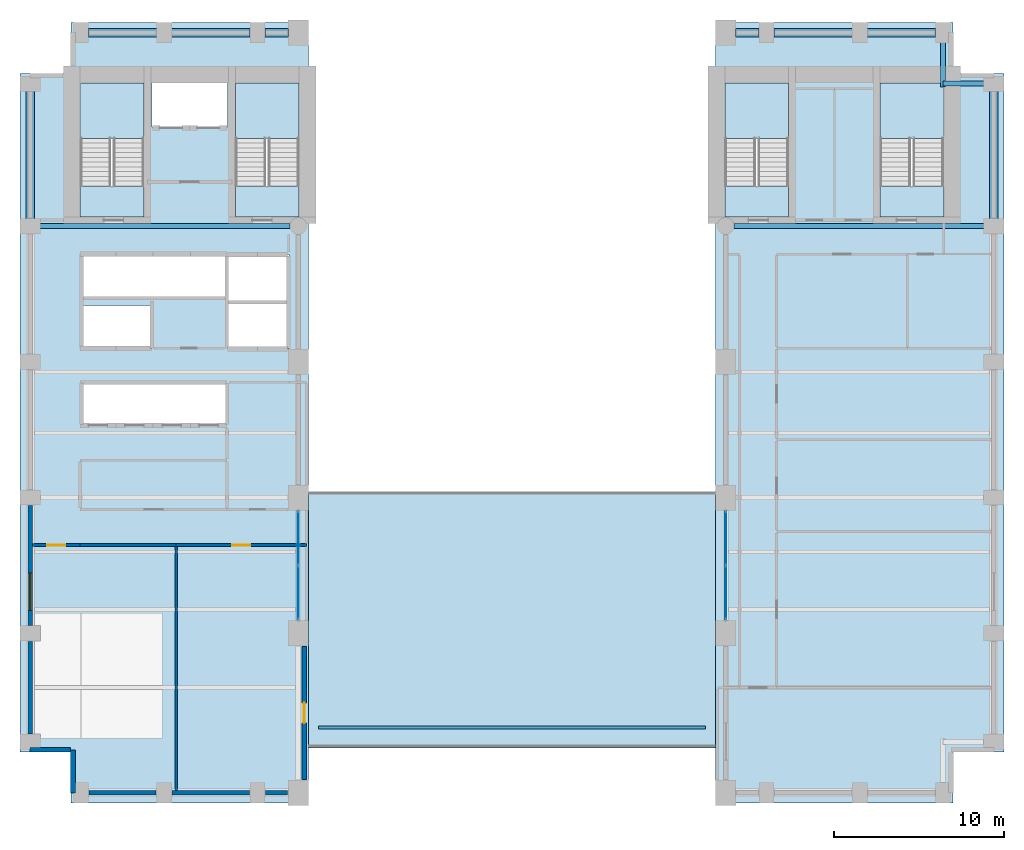
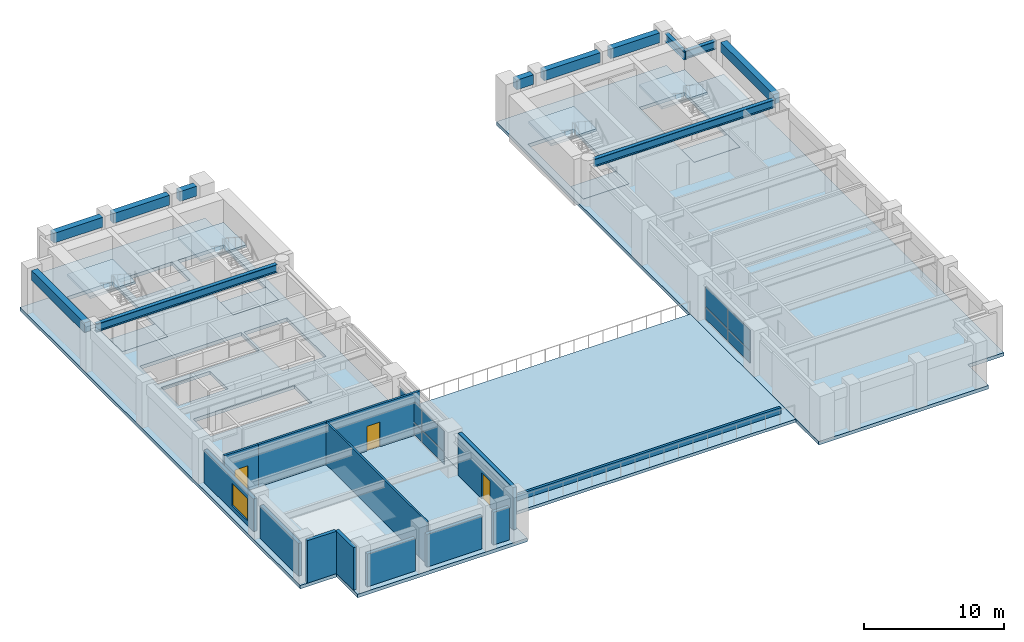
# One storey, part 4 of 10: 13 walls, 12 beams, 11 slabs, 8 plates, 3 doors, 1 window, 4 openings, 6 elements without a shape of their own.
"""IFC4 building model written with IfcOpenShell, lengths in metres."""

from ifc_helpers import new_model, si_unit, direction, frame, frame_2d, origin, origin_2d, place, context, subcontext, project, spatial, polyline, rectangle, i_section, outline, extrude, material, layer, layer_set, material_profile, profile_set, type_object, element, fill, aggregate, save


model = new_model("IFC4")

# Units and contexts
model_context = context("Model", 3, precision=1e-05, world=origin(), true_north=direction((0.0, 1.0)))
body_context = subcontext(model_context, "Body", "Model", "MODEL_VIEW")
ifc_project = project(units=[si_unit("LENGTHUNIT", "METRE"), si_unit("AREAUNIT", "SQUARE_METRE"), si_unit("VOLUMEUNIT", "CUBIC_METRE"), si_unit("PLANEANGLEUNIT", "RADIAN"), si_unit("MASSUNIT", "GRAM", prefix="KILO")], contexts=[model_context])

# Site, building, storey
site_placement = place(None, origin())
site = spatial("IfcSite", under=ifc_project, at=site_placement, CompositionType="ELEMENT")
building_placement = place(site_placement, origin())
building = spatial("IfcBuilding", under=site, at=building_placement, Name="Sulina Concourse Tower", CompositionType="ELEMENT")
storey_placement = place(building_placement, frame((0.0, 0.0, 22.60009765625)))
storey = spatial("IfcBuildingStorey", under=building, at=storey_placement, Name="L05", CompositionType="ELEMENT", Elevation=22.60009765625)

# Beams
ifc_material_1 = material(Name="Steel S355", Category="steel")
ifc_material_profile_1 = material_profile(ifc_material_1, i_section(OverallWidth=0.300048828125, OverallDepth=0.699951171875, WebThickness=0.01708984375, FlangeThickness=0.031982421875, at=origin_2d()), Name="HE 700 B")
ifc_profile_set_1 = profile_set([ifc_material_profile_1], Name="Steel S355")
beam_type_1 = type_object("IfcBeamType", Name="Floor Primary Girder Zone 1 HE700B", PredefinedType="BEAM", material=ifc_profile_set_1)
beam_1_placement = place(storey_placement, frame((54.39990234375, 42.39990234375, 3.349853515625), z_axis=(1.0, 0.0, 0.0), x_axis=(0.0, 1.0, 0.0)))
element("IfcBeam", 1, at=beam_1_placement, inside=storey, type_object=beam_type_1, Name="TIE-NE-L05", PredefinedType="BEAM", context=body_context, shape_type="SweptSolid", body=[
    extrude(i_section(OverallWidth=0.300048828125, OverallDepth=0.699951171875, WebThickness=0.01708984375, FlangeThickness=0.031982421875, at=origin_2d()), origin(), (0.0, 0.0, 1.0), 2.570068359375),
])
beam_2_placement = place(storey_placement, frame((54.39990234375, 42.199951171875, 3.349853515625), z_axis=(0.0, 1.0, 0.0), x_axis=(-1.0, 0.0, 0.0)))
element("IfcBeam", 2, at=beam_2_placement, inside=storey, type_object=beam_type_1, Name="TIE-NEN-L05", PredefinedType="BEAM", context=body_context, shape_type="SweptSolid", body=[
    extrude(i_section(OverallWidth=0.300048828125, OverallDepth=0.699951171875, WebThickness=0.01708984375, FlangeThickness=0.031982421875, at=origin_2d()), origin(), (0.0, 0.0, 1.0), 2.77001953125),
])
for number, where, z_axis, x_axis, name in (
    (3, (1.030029296875, 34.0, 3.349853515625), (1.0, 0.0, 0.0), (0.0, 1.0, 0.0), "FG-EWN1-L05"),
    (4, (42.080078125, 34.0, 3.349853515625), (1.0, 0.0, 0.0), (0.0, 1.0, 0.0), "FG-EWN3-L05"),
):
    element("IfcBeam", number, at=place(storey_placement, frame(where, z_axis=z_axis, x_axis=x_axis)), inside=storey, type_object=beam_type_1, Name=name, PredefinedType="BEAM", context=body_context, shape_type="SweptSolid", body=[
        extrude(i_section(OverallWidth=0.300048828125, OverallDepth=0.699951171875, WebThickness=0.01708984375, FlangeThickness=0.031982421875, at=origin_2d()), origin(), (0.0, 0.0, 1.0), 14.889892578125),
    ])
ifc_material_2 = material(Name="Precast concrete C50/60", Category="concrete")
ifc_material_profile_2 = material_profile(ifc_material_2, rectangle(XDim=0.5, YDim=0.85009765625, at=origin_2d()), Name="RC 500x850")
ifc_profile_set_2 = profile_set([ifc_material_profile_2], Name="Precast concrete C50/60")
beam_type_2 = type_object("IfcBeamType", Name="Lower Precast Spandrel Edge Beam 500x850", PredefinedType="BEAM", material=ifc_profile_set_2)
beam_3_placement = place(storey_placement, frame((4.030029296875, 45.39990234375, 3.27490234375), z_axis=(1.0, 0.0, 0.0), x_axis=(0.0, 1.0, 0.0)))
element("IfcBeam", 5, at=beam_3_placement, inside=storey, type_object=beam_type_2, Name="SP-N1-L05", PredefinedType="BEAM", context=body_context, shape_type="SweptSolid", body=[
    extrude(rectangle(XDim=0.5, YDim=0.85009765625, at=origin_2d()), origin(), (0.0, 0.0, 1.0), 4.0400390625),
])
beam_4_placement = place(storey_placement, frame((8.929931640625, 45.39990234375, 3.27490234375), z_axis=(1.0, 0.0, 0.0), x_axis=(0.0, 1.0, 0.0)))
element("IfcBeam", 6, at=beam_4_placement, inside=storey, type_object=beam_type_2, Name="SP-N2-L05", PredefinedType="BEAM", context=body_context, shape_type="SweptSolid", body=[
    extrude(rectangle(XDim=0.5, YDim=0.85009765625, at=origin_2d()), origin(), (0.0, 0.0, 1.0), 4.64013671875),
])
for number, where, z_axis, x_axis, name in (
    (7, (14.429931640625, 45.39990234375, 3.27490234375), (1.0, 0.0, 0.0), (0.0, 1.0, 0.0), "SP-N3-L05"),
    (8, (42.179931640625, 45.39990234375, 3.27490234375), (1.0, 0.0, 0.0), (0.0, 1.0, 0.0), "SP-N5-L05"),
):
    element("IfcBeam", number, at=place(storey_placement, frame(where, z_axis=z_axis, x_axis=x_axis)), inside=storey, type_object=beam_type_2, Name=name, PredefinedType="BEAM", context=body_context, shape_type="SweptSolid", body=[
        extrude(rectangle(XDim=0.5, YDim=0.85009765625, at=origin_2d()), origin(), (0.0, 0.0, 1.0), 1.39013671875),
    ])
beam_5_placement = place(storey_placement, frame((44.429931640625, 45.39990234375, 3.27490234375), z_axis=(1.0, 0.0, 0.0), x_axis=(0.0, 1.0, 0.0)))
element("IfcBeam", 9, at=beam_5_placement, inside=storey, type_object=beam_type_2, Name="SP-N6-L05", PredefinedType="BEAM", context=body_context, shape_type="SweptSolid", body=[
    extrude(rectangle(XDim=0.5, YDim=0.85009765625, at=origin_2d()), origin(), (0.0, 0.0, 1.0), 4.64013671875),
])
beam_6_placement = place(storey_placement, frame((49.929931640625, 45.39990234375, 3.27490234375), z_axis=(1.0, 0.0, 0.0), x_axis=(0.0, 1.0, 0.0)))
element("IfcBeam", 10, at=beam_6_placement, inside=storey, type_object=beam_type_2, Name="SP-N7-L05", PredefinedType="BEAM", context=body_context, shape_type="SweptSolid", body=[
    extrude(rectangle(XDim=0.5, YDim=0.85009765625, at=origin_2d()), origin(), (0.0, 0.0, 1.0), 4.0400390625),
])
for number, where, z_axis, x_axis, name in (
    (11, (0.60009765625, 34.429931640625, 3.27490234375), (0.0, 1.0, 0.0), (-1.0, 0.0, 0.0), "SP-W5-L05"),
    (12, (57.39990234375, 34.429931640625, 3.27490234375), (0.0, 1.0, 0.0), (-1.0, 0.0, 0.0), "SP-E5-L05"),
):
    element("IfcBeam", number, at=place(storey_placement, frame(where, z_axis=z_axis, x_axis=x_axis)), inside=storey, type_object=beam_type_2, Name=name, PredefinedType="BEAM", context=body_context, shape_type="SweptSolid", body=[
        extrude(rectangle(XDim=0.5, YDim=0.85009765625, at=origin_2d()), origin(), (0.0, 0.0, 1.0), 7.5400390625),
    ])

# Slabs
ifc_material_3 = material(Name="Concrete C50/60", Category="concrete")
ifc_layer_1 = layer(ifc_material_3, 0.300048828125)
ifc_layer_set_1 = layer_set([ifc_layer_1], Name="Concrete C50/60")
slab_type_1 = type_object("IfcSlabType", Name="Low-Rise Composite Floor Slab 300mm", PredefinedType="FLOOR", material=ifc_layer_set_1)
slab_1_placement = place(storey_placement, frame((0.0, 0.0, -0.300048828125)))
element("IfcSlab", 13, at=slab_1_placement, inside=storey, type_object=slab_type_1, Name="L05 structural floor slab-P1", PredefinedType="FLOOR", context=body_context, shape_type="SweptSolid", body=[
    extrude(outline(polyline([(3.0, 0.0), (17.0, 0.0), (17.0, 46.0), (3.0, 46.0), (3.0, 43.0), (0.0, 43.0), (0.0, 3.0), (3.0, 3.0), (3.0, 0.0)]), holes=[polyline([(7.31005859375, 34.550048828125), (7.31005859375, 42.429931640625), (3.550048828125, 42.429931640625), (3.550048828125, 34.550048828125), (7.31005859375, 34.550048828125)]), polyline([(16.449951171875, 34.550048828125), (16.449951171875, 42.429931640625), (12.68994140625, 42.429931640625), (12.68994140625, 34.550048828125), (16.449951171875, 34.550048828125)]), polyline([(7.780029296875, 39.830078125), (12.219970703125, 39.830078125), (12.219970703125, 42.449951171875), (7.780029296875, 42.449951171875), (7.780029296875, 39.830078125)]), polyline([(3.739990234375, 26.780029296875), (7.77001953125, 26.780029296875), (7.77001953125, 29.320068359375), (3.739990234375, 29.320068359375), (3.739990234375, 26.780029296875)]), polyline([(3.739990234375, 29.780029296875), (12.10009765625, 29.780029296875), (12.10009765625, 32.3701171875), (3.739990234375, 32.3701171875), (3.739990234375, 29.780029296875)]), polyline([(3.739990234375, 22.280029296875), (12.10009765625, 22.280029296875), (12.10009765625, 24.77001953125), (3.739990234375, 24.77001953125), (3.739990234375, 22.280029296875)]), polyline([(12.280029296875, 26.780029296875), (15.85009765625, 26.780029296875), (15.85009765625, 32.320068359375), (12.280029296875, 32.320068359375), (12.280029296875, 26.780029296875)])]), origin(), (0.0, 0.0, 1.0), 0.300048828125),
])
slab_2_placement = place(storey_placement, frame((0.0, 0.0, -0.300048828125)))
element("IfcSlab", 14, at=slab_2_placement, inside=storey, type_object=slab_type_1, Name="L05 structural floor slab-P2", PredefinedType="FLOOR", context=body_context, shape_type="SweptSolid", body=[
    extrude(outline(polyline([(41.0, 0.0), (55.0, 0.0), (55.0, 3.0), (58.0, 3.0), (58.0, 43.0), (55.0, 43.0), (55.0, 46.0), (41.0, 46.0), (41.0, 0.0)]), holes=[polyline([(45.31005859375, 34.550048828125), (45.31005859375, 42.429931640625), (41.550048828125, 42.429931640625), (41.550048828125, 34.550048828125), (45.31005859375, 34.550048828125)]), polyline([(54.449951171875, 34.550048828125), (54.449951171875, 42.429931640625), (50.68994140625, 42.429931640625), (50.68994140625, 34.550048828125), (54.449951171875, 34.550048828125)])]), origin(), (0.0, 0.0, 1.0), 0.300048828125),
])
ifc_material_4 = material(Name="Precast concrete C50/60", Category="concrete")
ifc_layer_2 = layer(ifc_material_4, 0.260009765625)
ifc_layer_set_2 = layer_set([ifc_layer_2], Name="Precast concrete C50/60")
slab_type_2 = type_object("IfcSlabType", Name="Lower Portal Planted Terrace Slab 260mm", PredefinedType="FLOOR", material=ifc_layer_set_2)
slab_3_placement = place(storey_placement, frame((0.0, 0.0, -0.260009765625)))
element("IfcSlab", 15, at=slab_3_placement, inside=storey, type_object=slab_type_2, Name="L05 outdoor terrace slab TER-LP1", PredefinedType="FLOOR", context=body_context, shape_type="SweptSolid", body=[
    extrude(outline(polyline([(17.0, 3.25), (41.0, 3.25), (41.0, 18.35009765625), (17.0, 18.35009765625), (17.0, 3.25)])), origin(), (0.0, 0.0, 1.0), 0.260009765625),
])

# Curtain wall, plates
ifc_material_5 = material(Name="Anodised bronze aluminium", Category="aluminium")
ifc_layer_3 = layer(ifc_material_5, 0.219970703125)
ifc_layer_set_3 = layer_set([ifc_layer_3], Name="Anodised bronze aluminium")
curtain_wall_type = type_object("IfcCurtainWallType", Name="Lower Terraced Portal Curtain Wall System", PredefinedType="NOTDEFINED", material=ifc_layer_set_3)
curtain_wall_1_placement = place(storey_placement, origin())
curtain_wall_1 = element("IfcCurtainWall", 16, at=curtain_wall_1_placement, inside=storey, type_object=curtain_wall_type, Name="L05 glazed curtain wall PW2", PredefinedType="NOTDEFINED")
ifc_material_6 = material(Name="Low-E solar portal glazing", Category="glass")
ifc_layer_4 = layer(ifc_material_6, 0.031982421875)
ifc_layer_set_4 = layer_set([ifc_layer_4], Name="Low-E solar portal glazing")
plate_type = type_object("IfcPlateType", Name="Lower Terraced Portal Curtain Wall System Glazed Panel 32mm", PredefinedType="CURTAIN_PANEL", material=ifc_layer_set_4)
plate_1_placement = place(storey_placement, frame((16.39990234375, 15.597412109375, 0.06982421875), z_axis=(0.0, 0.0, 1.0), x_axis=(0.0, -1.0, 0.0)))
plate_1 = element("IfcPlate", 17, at=plate_1_placement, type_object=plate_type, Name="CW-02 panel 1.1", PredefinedType="CURTAIN_PANEL", context=body_context, shape_type="SweptSolid", body=[
    extrude(rectangle(XDim=3.125, YDim=0.031982421875, at=origin_2d()), origin(), (0.0, 0.0, 1.0), 1.034912109375),
])
plate_2_placement = place(storey_placement, frame((16.39990234375, 15.597412109375, 1.175048828125), z_axis=(0.0, 0.0, 1.0), x_axis=(0.0, -1.0, 0.0)))
plate_2 = element("IfcPlate", 18, at=plate_2_placement, type_object=plate_type, Name="CW-02 panel 1.2", PredefinedType="CURTAIN_PANEL", context=body_context, shape_type="SweptSolid", body=[
    extrude(rectangle(XDim=3.125, YDim=0.031982421875, at=origin_2d()), origin(), (0.0, 0.0, 1.0), 1.7548828125),
])
plate_3_placement = place(storey_placement, frame((16.39990234375, 12.402587890625, 0.06982421875), z_axis=(0.0, 0.0, 1.0), x_axis=(0.0, -1.0, 0.0)))
plate_3 = element("IfcPlate", 19, at=plate_3_placement, type_object=plate_type, Name="CW-02 panel 2.1", PredefinedType="CURTAIN_PANEL", context=body_context, shape_type="SweptSolid", body=[
    extrude(rectangle(XDim=3.125, YDim=0.031982421875, at=origin_2d()), origin(), (0.0, 0.0, 1.0), 1.034912109375),
])
plate_4_placement = place(storey_placement, frame((16.39990234375, 12.402587890625, 1.175048828125), z_axis=(0.0, 0.0, 1.0), x_axis=(0.0, -1.0, 0.0)))
plate_4 = element("IfcPlate", 20, at=plate_4_placement, type_object=plate_type, Name="CW-02 panel 2.2", PredefinedType="CURTAIN_PANEL", context=body_context, shape_type="SweptSolid", body=[
    extrude(rectangle(XDim=3.125, YDim=0.031982421875, at=origin_2d()), origin(), (0.0, 0.0, 1.0), 1.7548828125),
])
aggregate(curtain_wall_1, [plate_1, plate_2, plate_3, plate_4])

curtain_wall_2_placement = place(storey_placement, origin())
curtain_wall_2 = element("IfcCurtainWall", 21, at=curtain_wall_2_placement, inside=storey, type_object=curtain_wall_type, Name="L05 glazed curtain wall PE2", PredefinedType="NOTDEFINED")
plate_5_placement = place(storey_placement, frame((41.60009765625, 12.402587890625, 0.06982421875), z_axis=(0.0, 0.0, 1.0), x_axis=(0.0, 1.0, 0.0)))
plate_5 = element("IfcPlate", 22, at=plate_5_placement, type_object=plate_type, Name="CW-02 panel 1.1", PredefinedType="CURTAIN_PANEL", context=body_context, shape_type="SweptSolid", body=[
    extrude(rectangle(XDim=3.125, YDim=0.031982421875, at=origin_2d()), origin(), (0.0, 0.0, 1.0), 1.034912109375),
])
plate_6_placement = place(storey_placement, frame((41.60009765625, 12.402587890625, 1.175048828125), z_axis=(0.0, 0.0, 1.0), x_axis=(0.0, 1.0, 0.0)))
plate_6 = element("IfcPlate", 23, at=plate_6_placement, type_object=plate_type, Name="CW-02 panel 1.2", PredefinedType="CURTAIN_PANEL", context=body_context, shape_type="SweptSolid", body=[
    extrude(rectangle(XDim=3.125, YDim=0.031982421875, at=origin_2d()), origin(), (0.0, 0.0, 1.0), 1.7548828125),
])
plate_7_placement = place(storey_placement, frame((41.60009765625, 15.597412109375, 0.06982421875), z_axis=(0.0, 0.0, 1.0), x_axis=(0.0, 1.0, 0.0)))
plate_7 = element("IfcPlate", 24, at=plate_7_placement, type_object=plate_type, Name="CW-02 panel 2.1", PredefinedType="CURTAIN_PANEL", context=body_context, shape_type="SweptSolid", body=[
    extrude(rectangle(XDim=3.125, YDim=0.031982421875, at=origin_2d()), origin(), (0.0, 0.0, 1.0), 1.034912109375),
])
plate_8_placement = place(storey_placement, frame((41.60009765625, 15.597412109375, 1.175048828125), z_axis=(0.0, 0.0, 1.0), x_axis=(0.0, 1.0, 0.0)))
plate_8 = element("IfcPlate", 25, at=plate_8_placement, type_object=plate_type, Name="CW-02 panel 2.2", PredefinedType="CURTAIN_PANEL", context=body_context, shape_type="SweptSolid", body=[
    extrude(rectangle(XDim=3.125, YDim=0.031982421875, at=origin_2d()), origin(), (0.0, 0.0, 1.0), 1.7548828125),
])
aggregate(curtain_wall_2, [plate_5, plate_6, plate_7, plate_8])

# Slabs
ifc_material_7 = material(Name="Concrete C50/60", Category="concrete")
ifc_layer_5 = layer(ifc_material_7, 0.199951171875)
ifc_layer_set_5 = layer_set([ifc_layer_5], Name="Concrete C50/60")
slab_type_3 = type_object("IfcSlabType", Name="Primary Core Stair Landing Slab 200mm", PredefinedType="LANDING", material=ifc_layer_set_5)
slab_4_placement = place(storey_placement, frame((0.0, 0.0, -0.2001953125)))
element("IfcSlab", 26, at=slab_4_placement, inside=storey, type_object=slab_type_3, Name="L05 ST-1 floor landing slab", PredefinedType="LANDING", context=body_context, shape_type="SweptSolid", body=[
    extrude(outline(polyline([(7.31005859375, 34.550048828125), (7.31005859375, 36.375), (3.550048828125, 36.375), (3.550048828125, 34.550048828125), (7.31005859375, 34.550048828125)])), origin(), (0.0, 0.0, 1.0), 0.2001953125),
])
slab_5_placement = place(storey_placement, frame((0.0, 0.0, -0.2001953125)))
element("IfcSlab", 27, at=slab_5_placement, inside=storey, type_object=slab_type_3, Name="L05 ST-2 floor landing slab", PredefinedType="LANDING", context=body_context, shape_type="SweptSolid", body=[
    extrude(outline(polyline([(16.449951171875, 34.550048828125), (16.449951171875, 36.375), (12.68994140625, 36.375), (12.68994140625, 34.550048828125), (16.449951171875, 34.550048828125)])), origin(), (0.0, 0.0, 1.0), 0.2001953125),
])
slab_6_placement = place(storey_placement, frame((0.0, 0.0, -0.2001953125)))
element("IfcSlab", 28, at=slab_6_placement, inside=storey, type_object=slab_type_3, Name="L05 ST-3 floor landing slab", PredefinedType="LANDING", context=body_context, shape_type="SweptSolid", body=[
    extrude(outline(polyline([(45.31005859375, 34.550048828125), (45.31005859375, 36.375), (41.550048828125, 36.375), (41.550048828125, 34.550048828125), (45.31005859375, 34.550048828125)])), origin(), (0.0, 0.0, 1.0), 0.2001953125),
])
slab_7_placement = place(storey_placement, frame((0.0, 0.0, -0.2001953125)))
element("IfcSlab", 29, at=slab_7_placement, inside=storey, type_object=slab_type_3, Name="L05 ST-4 floor landing slab", PredefinedType="LANDING", context=body_context, shape_type="SweptSolid", body=[
    extrude(outline(polyline([(54.449951171875, 34.550048828125), (54.449951171875, 36.375), (50.68994140625, 36.375), (50.68994140625, 34.550048828125), (54.449951171875, 34.550048828125)])), origin(), (0.0, 0.0, 1.0), 0.2001953125),
])

# Stair, slab
ifc_material_8 = material(Name="Concrete C50/60", Category="concrete")
stair_type_1 = type_object("IfcStairType", Name="Primary Core Dog-Leg Exit Stair 1800mm", PredefinedType="HALF_TURN_STAIR", material=ifc_material_8)
stair_1_placement = place(storey_placement, origin())
stair_1 = element("IfcStair", 30, at=stair_1_placement, inside=storey, type_object=stair_type_1, Name="L05 ST-1", PredefinedType="HALF_TURN_STAIR")
slab_8_placement = place(storey_placement, frame((0.0, 0.0, 1.7998046875)))
slab_8 = element("IfcSlab", 31, at=slab_8_placement, type_object=slab_type_3, Name="ST-1 landing 1", PredefinedType="LANDING", context=body_context, shape_type="SweptSolid", body=[
    extrude(outline(polyline([(7.304931640625, 39.175048828125), (7.304931640625, 42.425048828125), (3.554931640625, 42.425048828125), (3.554931640625, 39.175048828125), (7.304931640625, 39.175048828125)])), origin(), (0.0, 0.0, 1.0), 0.2001953125),
])
aggregate(stair_1, [slab_8])

stair_2_placement = place(storey_placement, origin())
stair_2 = element("IfcStair", 32, at=stair_2_placement, inside=storey, type_object=stair_type_1, Name="L05 ST-2", PredefinedType="HALF_TURN_STAIR")
slab_9_placement = place(storey_placement, frame((0.0, 0.0, 1.7998046875)))
slab_9 = element("IfcSlab", 33, at=slab_9_placement, type_object=slab_type_3, Name="ST-2 landing 1", PredefinedType="LANDING", context=body_context, shape_type="SweptSolid", body=[
    extrude(outline(polyline([(16.445068359375, 39.175048828125), (16.445068359375, 42.425048828125), (12.695068359375, 42.425048828125), (12.695068359375, 39.175048828125), (16.445068359375, 39.175048828125)])), origin(), (0.0, 0.0, 1.0), 0.2001953125),
])
aggregate(stair_2, [slab_9])

ifc_material_9 = material(Name="Concrete C50/60", Category="concrete")
stair_type_2 = type_object("IfcStairType", Name="Portal & Podium Core Exit Stair 1820mm", PredefinedType="HALF_TURN_STAIR", material=ifc_material_9)
stair_3_placement = place(storey_placement, origin())
stair_3 = element("IfcStair", 34, at=stair_3_placement, inside=storey, type_object=stair_type_2, Name="L05 ST-3", PredefinedType="HALF_TURN_STAIR")
slab_10_placement = place(storey_placement, frame((0.0, 0.0, 1.7998046875)))
slab_10 = element("IfcSlab", 35, at=slab_10_placement, type_object=slab_type_3, Name="ST-3 landing 1", PredefinedType="LANDING", context=body_context, shape_type="SweptSolid", body=[
    extrude(outline(polyline([(45.304931640625, 39.175048828125), (45.304931640625, 42.425048828125), (41.554931640625, 42.425048828125), (41.554931640625, 39.175048828125), (45.304931640625, 39.175048828125)])), origin(), (0.0, 0.0, 1.0), 0.2001953125),
])
aggregate(stair_3, [slab_10])

stair_4_placement = place(storey_placement, origin())
stair_4 = element("IfcStair", 36, at=stair_4_placement, inside=storey, type_object=stair_type_2, Name="L05 ST-4", PredefinedType="HALF_TURN_STAIR")
slab_11_placement = place(storey_placement, frame((0.0, 0.0, 1.7998046875)))
slab_11 = element("IfcSlab", 37, at=slab_11_placement, type_object=slab_type_3, Name="ST-4 landing 1", PredefinedType="LANDING", context=body_context, shape_type="SweptSolid", body=[
    extrude(outline(polyline([(54.445068359375, 39.175048828125), (54.445068359375, 42.425048828125), (50.695068359375, 42.425048828125), (50.695068359375, 39.175048828125), (54.445068359375, 39.175048828125)])), origin(), (0.0, 0.0, 1.0), 0.2001953125),
])
aggregate(stair_4, [slab_11])

# Walls
ifc_material_10 = material(Name="Gypsum board on steel stud", Category="steel")
ifc_layer_6 = layer(ifc_material_10, 0.14990234375)
ifc_layer_set_6 = layer_set([ifc_layer_6], Name="Gypsum board on steel stud")
wall_type_1 = type_object("IfcWallType", Name="Inter-Tenancy Acoustic Partition 150mm", PredefinedType="PARTITIONING", material=ifc_layer_set_6)
wall_1_placement = place(storey_placement, frame((9.199951171875, 0.739990234375, 0.0), z_axis=(0.0, 0.0, 1.0), x_axis=(0.0, 1.0, 0.0)))
element("IfcWall", 38, at=wall_1_placement, inside=storey, type_object=wall_type_1, Name="L05 interior partition 025", PredefinedType="PARTITIONING", context=body_context, shape_type="SweptSolid", body=[
    extrude(rectangle(XDim=14.3701171875, YDim=0.14990234375, at=frame_2d((7.18505859375, 0.0))), origin(), (0.0, 0.0, 1.0), 3.699951171875),
])
ifc_material_11 = material(Name="Precast concrete C50/60", Category="concrete")
ifc_layer_7 = layer(ifc_material_11, 0.199951171875)
ifc_layer_set_7 = layer_set([ifc_layer_7], Name="Precast concrete C50/60")
wall_type_2 = type_object("IfcWallType", Name="Landscaped Terrace Planter Wall 200mm", PredefinedType="USERDEFINED", material=ifc_layer_set_7)
wall_2_placement = place(storey_placement, frame((17.60009765625, 4.449951171875, 0.0), z_axis=(0.0, 0.0, 1.0), x_axis=(1.0, 0.0, 0.0)))
element("IfcWall", 39, at=wall_2_placement, inside=storey, type_object=wall_type_2, Name="L05 landscaped terrace planter wall TER-LP1", ObjectType="PLANTER", PredefinedType="USERDEFINED", context=body_context, shape_type="SweptSolid", body=[
    extrude(rectangle(XDim=22.7998046875, YDim=0.199951171875, at=frame_2d((11.39990234375, 0.0))), origin(), (0.0, 0.0, 1.0), 0.5498046875),
])

# Wall, opening, door
ifc_material_12 = material(Name="Gypsum board on steel stud", Category="steel")
ifc_layer_8 = layer(ifc_material_12, 0.179931640625)
ifc_layer_set_8 = layer_set([ifc_layer_8], Name="Gypsum board on steel stud")
wall_type_3 = type_object("IfcWallType", Name="Protected Corridor & Riser Partition 180mm", PredefinedType="PARTITIONING", material=ifc_layer_set_8)
wall_3_placement = place(storey_placement, frame((0.739990234375, 15.199951171875, 0.0), z_axis=(0.0, 0.0, 1.0), x_axis=(1.0, 0.0, 0.0)))
wall_3 = element("IfcWall", 40, at=wall_3_placement, inside=storey, type_object=wall_type_3, Name="L05 interior partition 004", PredefinedType="PARTITIONING", context=body_context, shape_type="SweptSolid", body=[
    extrude(rectangle(XDim=2.81005859375, YDim=0.179931640625, at=frame_2d((1.405029296875, 0.0))), origin(), (0.0, 0.0, 1.0), 3.699951171875),
])
opening_1_placement = place(wall_3_placement, frame((0.8798828125, 0.0, 0.0)))
opening_1 = element("IfcOpeningElement", 41, at=opening_1_placement, cuts=wall_3, Name="Opening DR-37", PredefinedType="OPENING", context=body_context, shape_type="SweptSolid", body=[
    extrude(rectangle(XDim=1.050048828125, YDim=2.14990234375, at=frame_2d((0.52490234375, 1.074951171875))), frame((0.0, 0.099853515625, 0.0), z_axis=(0.0, -1.0, 0.0), x_axis=(1.0, 0.0, 0.0)), (0.0, 0.0, 1.0), 0.199951171875),
])
ifc_material_13 = material(Name="Oak-veneered fire door leaf")
ifc_layer_9 = layer(ifc_material_13, 0.050048828125)
ifc_layer_set_9 = layer_set([ifc_layer_9], Name="Oak-veneered fire door leaf")
door_type_1 = type_object("IfcDoorType", Name="Tenant Suite Entrance Fire Door 1050x2150", OperationType="NOTDEFINED", PredefinedType="DOOR", material=ifc_layer_set_9)
door_1_placement = place(opening_1_placement, origin())
door_1 = element("IfcDoor", 42, at=door_1_placement, inside=storey, type_object=door_type_1, Name="L05 interior door L05-OFF-W1", OperationType="SINGLE_SWING_LEFT", OverallHeight=2.14990234375, OverallWidth=1.050048828125, PredefinedType="DOOR", context=body_context, shape_type="SweptSolid", body=[
    extrude(rectangle(XDim=1.050048828125, YDim=2.14990234375, at=frame_2d((0.52490234375, 1.074951171875))), frame((0.0, 0.02490234375, 0.0), z_axis=(0.0, -1.0, 0.0), x_axis=(1.0, 0.0, 0.0)), (0.0, 0.0, 1.0), 0.050048828125),
])
fill(opening_1, door_1)

# Wall
wall_4_placement = place(storey_placement, frame((3.550048828125, 15.199951171875, 0.0), z_axis=(0.0, 0.0, 1.0), x_axis=(1.0, 0.0, 0.0)))
element("IfcWall", 43, at=wall_4_placement, inside=storey, type_object=wall_type_3, Name="L05 interior partition 005", PredefinedType="PARTITIONING", context=body_context, shape_type="SweptSolid", body=[
    extrude(rectangle(XDim=5.64990234375, YDim=0.179931640625, at=frame_2d((2.824951171875, 0.0))), origin(), (0.0, 0.0, 1.0), 3.699951171875),
])

# Wall, opening, door
wall_5_placement = place(storey_placement, frame((9.199951171875, 15.199951171875, 0.0), z_axis=(0.0, 0.0, 1.0), x_axis=(1.0, 0.0, 0.0)))
wall_5 = element("IfcWall", 44, at=wall_5_placement, inside=storey, type_object=wall_type_3, Name="L05 interior partition 006", PredefinedType="PARTITIONING", context=body_context, shape_type="SweptSolid", body=[
    extrude(rectangle(XDim=7.679931640625, YDim=0.179931640625, at=frame_2d((3.83984375, 0.0))), origin(), (0.0, 0.0, 1.0), 3.699951171875),
])
opening_2_placement = place(wall_5_placement, frame((3.31494140625, 0.0, 0.0)))
opening_2 = element("IfcOpeningElement", 45, at=opening_2_placement, cuts=wall_5, Name="Opening DR-37", PredefinedType="OPENING", context=body_context, shape_type="SweptSolid", body=[
    extrude(rectangle(XDim=1.050048828125, YDim=2.14990234375, at=frame_2d((0.52490234375, 1.074951171875))), frame((0.0, 0.099853515625, 0.0), z_axis=(0.0, -1.0, 0.0), x_axis=(1.0, 0.0, 0.0)), (0.0, 0.0, 1.0), 0.199951171875),
])
door_2_placement = place(opening_2_placement, origin())
door_2 = element("IfcDoor", 46, at=door_2_placement, inside=storey, type_object=door_type_1, Name="L05 interior door L05-MTG-W1", OperationType="SINGLE_SWING_RIGHT", OverallHeight=2.14990234375, OverallWidth=1.050048828125, PredefinedType="DOOR", context=body_context, shape_type="SweptSolid", body=[
    extrude(rectangle(XDim=1.050048828125, YDim=2.14990234375, at=frame_2d((0.52490234375, 1.074951171875))), frame((0.0, 0.02490234375, 0.0), z_axis=(0.0, -1.0, 0.0), x_axis=(1.0, 0.0, 0.0)), (0.0, 0.0, 1.0), 0.050048828125),
])
fill(opening_2, door_2)

# Walls
ifc_material_14 = material(Name="Precast concrete C50/60", Category="concrete")
ifc_layer_10 = layer(ifc_material_14, 0.280029296875)
ifc_layer_set_10 = layer_set([ifc_layer_10], Name="Precast concrete C50/60")
wall_type_4 = type_object("IfcWallType", Name="Typical Precast Masonry-Frame Facade Wall 280mm", PredefinedType="SOLIDWALL", material=ifc_layer_set_10)
wall_6_placement = place(storey_placement, frame((8.030029296875, 0.60009765625, 0.0), z_axis=(0.0, 0.0, 1.0), x_axis=(-1.0, 0.0, 0.0)))
element("IfcWall", 47, at=wall_6_placement, inside=storey, type_object=wall_type_4, Name="L05 exterior precast wall S1", PredefinedType="SOLIDWALL", context=body_context, shape_type="SweptSolid", body=[
    extrude(rectangle(XDim=3.9599609375, YDim=0.280029296875, at=frame_2d((1.97998046875, 0.0))), origin(), (0.0, 0.0, 1.0), 2.849853515625),
])
wall_7_placement = place(storey_placement, frame((13.530029296875, 0.60009765625, 0.0), z_axis=(0.0, 0.0, 1.0), x_axis=(-1.0, 0.0, 0.0)))
element("IfcWall", 48, at=wall_7_placement, inside=storey, type_object=wall_type_4, Name="L05 exterior precast wall S2", PredefinedType="SOLIDWALL", context=body_context, shape_type="SweptSolid", body=[
    extrude(rectangle(XDim=4.56005859375, YDim=0.280029296875, at=frame_2d((2.280029296875, 0.0))), origin(), (0.0, 0.0, 1.0), 2.849853515625),
])
wall_8_placement = place(storey_placement, frame((15.780029296875, 0.60009765625, 0.0), z_axis=(0.0, 0.0, 1.0), x_axis=(-1.0, 0.0, 0.0)))
element("IfcWall", 49, at=wall_8_placement, inside=storey, type_object=wall_type_4, Name="L05 exterior precast wall S3", PredefinedType="SOLIDWALL", context=body_context, shape_type="SweptSolid", body=[
    extrude(rectangle(XDim=1.31005859375, YDim=0.280029296875, at=frame_2d((0.655029296875, 0.0))), origin(), (0.0, 0.0, 1.0), 2.849853515625),
])
wall_9_placement = place(storey_placement, frame((0.60009765625, 4.070068359375, 0.0), z_axis=(0.0, 0.0, 1.0), x_axis=(0.0, 1.0, 0.0)))
element("IfcWall", 50, at=wall_9_placement, inside=storey, type_object=wall_type_4, Name="L05 exterior precast wall W1", PredefinedType="SOLIDWALL", context=body_context, shape_type="SweptSolid", body=[
    extrude(rectangle(XDim=5.4599609375, YDim=0.280029296875, at=frame_2d((2.72998046875, 0.0))), origin(), (0.0, 0.0, 1.0), 2.849853515625),
])

# Wall, opening, window
wall_10_placement = place(storey_placement, frame((0.60009765625, 10.469970703125, 0.0), z_axis=(0.0, 0.0, 1.0), x_axis=(0.0, 1.0, 0.0)))
wall_10 = element("IfcWall", 51, at=wall_10_placement, inside=storey, type_object=wall_type_4, Name="L05 exterior precast wall W2", PredefinedType="SOLIDWALL", context=body_context, shape_type="SweptSolid", body=[
    extrude(rectangle(XDim=7.06005859375, YDim=0.280029296875, at=frame_2d((3.530029296875, 0.0))), origin(), (0.0, 0.0, 1.0), 2.849853515625),
])
opening_3_placement = place(wall_10_placement, frame((0.88671875, 0.0, 0.419921875)))
opening_3 = element("IfcOpeningElement", 52, at=opening_3_placement, cuts=wall_10, Name="Opening WN-76", PredefinedType="OPENING", context=body_context, shape_type="SweptSolid", body=[
    extrude(rectangle(XDim=2.199951171875, YDim=1.949951171875, at=frame_2d((1.10009765625, 0.97509765625))), frame((0.0, 0.14990234375, 0.0), z_axis=(0.0, -1.0, 0.0), x_axis=(1.0, 0.0, 0.0)), (0.0, 0.0, 1.0), 0.300048828125),
])
ifc_material_15 = material(Name="Low-E solar double glazing in bronze aluminium", Category="aluminium")
window_type = type_object("IfcWindowType", Name="Recessed Spandrel Window 2200x1950", PartitioningType="DOUBLE_PANEL_VERTICAL", PredefinedType="WINDOW", material=ifc_material_15)
window_placement = place(opening_3_placement, origin())
window = element("IfcWindow", 53, at=window_placement, inside=storey, type_object=window_type, Name="L05 punched window W2-1", OverallHeight=1.949951171875, OverallWidth=2.199951171875, PartitioningType="SINGLE_PANEL", PredefinedType="WINDOW", context=body_context, shape_type="SweptSolid", body=[
    extrude(rectangle(XDim=2.199951171875, YDim=1.949951171875, at=frame_2d((1.10009765625, 0.97509765625))), frame((0.0, 0.030029296875, 0.0), z_axis=(0.0, -1.0, 0.0), x_axis=(1.0, 0.0, 0.0)), (0.0, 0.0, 1.0), 0.06005859375),
])
fill(opening_3, window)

# Walls
wall_11_placement = place(storey_placement, frame((3.1298828125, 0.60009765625, 0.0), z_axis=(0.0, 0.0, 1.0), x_axis=(0.0, 1.0, 0.0)))
element("IfcWall", 54, at=wall_11_placement, inside=storey, type_object=wall_type_4, Name="L05 exterior precast wall CSW1", PredefinedType="SOLIDWALL", context=body_context, shape_type="SweptSolid", body=[
    extrude(rectangle(XDim=2.52978515625, YDim=0.280029296875, at=frame_2d((1.264892578125, 0.0))), origin(), (0.0, 0.0, 1.0), 3.699951171875),
])
wall_12_placement = place(storey_placement, frame((2.985107421875, 3.1298828125, 0.0), z_axis=(0.0, 0.0, 1.0), x_axis=(-1.0, 0.0, 0.0)))
element("IfcWall", 55, at=wall_12_placement, inside=storey, type_object=wall_type_4, Name="L05 exterior precast wall CSW2", PredefinedType="SOLIDWALL", context=body_context, shape_type="SweptSolid", body=[
    extrude(rectangle(XDim=2.385009765625, YDim=0.280029296875, at=frame_2d((1.1923828125, 0.0))), origin(), (0.0, 0.0, 1.0), 3.699951171875),
])

# Wall, opening, door
wall_13_placement = place(storey_placement, frame((16.75, 9.22998046875, 0.0), z_axis=(0.0, 0.0, 1.0), x_axis=(0.0, -1.0, 0.0)))
wall_13 = element("IfcWall", 56, at=wall_13_placement, inside=storey, type_object=wall_type_4, Name="L05 exterior precast wall PW1", PredefinedType="SOLIDWALL", context=body_context, shape_type="SweptSolid", body=[
    extrude(rectangle(XDim=7.85986328125, YDim=0.280029296875, at=frame_2d((3.929931640625, 0.0))), origin(), (0.0, 0.0, 1.0), 3.699951171875),
])
opening_4_placement = place(wall_13_placement, frame((3.330078125, 0.0, 0.0)))
opening_4 = element("IfcOpeningElement", 57, at=opening_4_placement, cuts=wall_13, Name="Opening DR-22", PredefinedType="OPENING", context=body_context, shape_type="SweptSolid", body=[
    extrude(rectangle(XDim=1.199951171875, YDim=2.25, at=frame_2d((0.60009765625, 1.125))), frame((0.0, 0.14990234375, 0.0), z_axis=(0.0, -1.0, 0.0), x_axis=(1.0, 0.0, 0.0)), (0.0, 0.0, 1.0), 0.300048828125),
])
ifc_material_16 = material(Name="Anodised bronze aluminium and glazed leaf", Category="aluminium")
ifc_layer_11 = layer(ifc_material_16, 0.054931640625)
ifc_layer_set_11 = layer_set([ifc_layer_11], Name="Anodised bronze aluminium and glazed leaf")
door_type_2 = type_object("IfcDoorType", Name="Planted Terrace & Sky-Deck Door 1200x2250", OperationType="NOTDEFINED", PredefinedType="DOOR", material=ifc_layer_set_11)
door_3_placement = place(opening_4_placement, origin())
door_3 = element("IfcDoor", 58, at=door_3_placement, inside=storey, type_object=door_type_2, Name="L05 exterior door TD-PW", OperationType="SINGLE_SWING_RIGHT", OverallHeight=2.25, OverallWidth=1.199951171875, PredefinedType="DOOR", context=body_context, shape_type="SweptSolid", body=[
    extrude(rectangle(XDim=1.199951171875, YDim=2.25, at=frame_2d((0.60009765625, 1.125))), frame((0.0, 0.02490234375, 0.0), z_axis=(0.0, -1.0, 0.0), x_axis=(1.0, 0.0, 0.0)), (0.0, 0.0, 1.0), 0.050048828125),
])
fill(opening_4, door_3)

save(model, "model.ifc")
